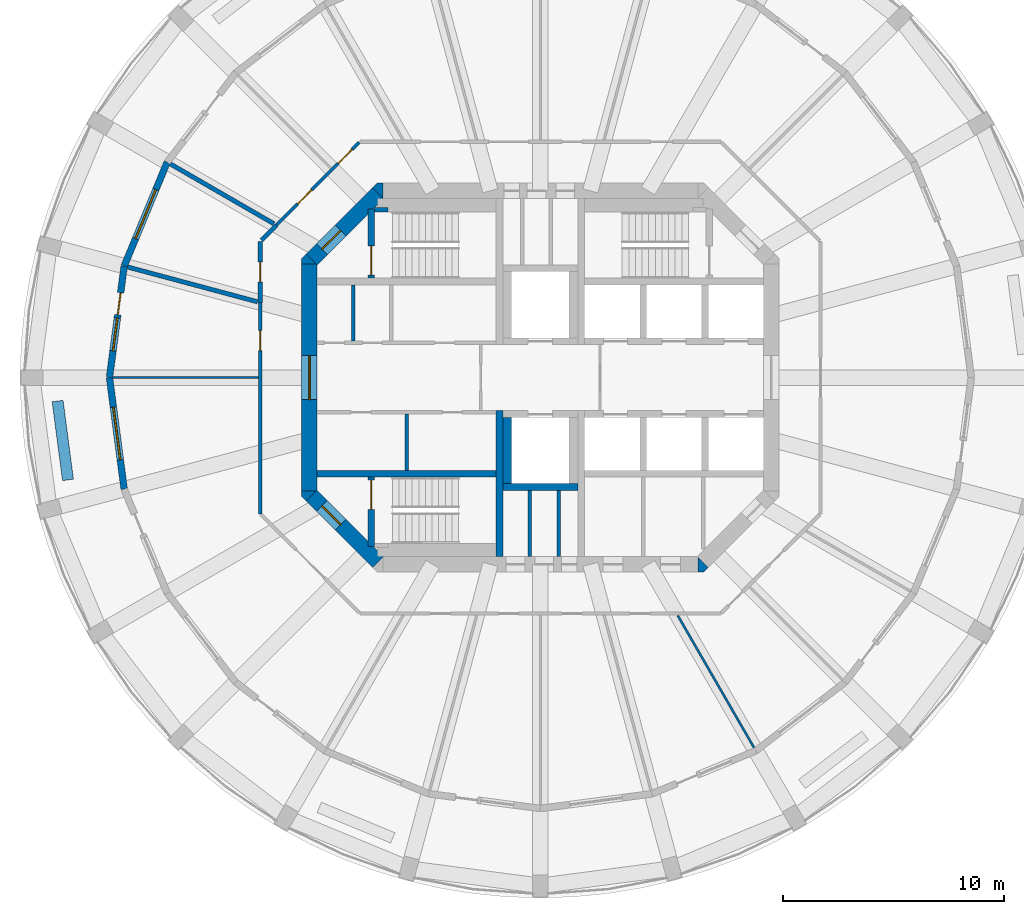
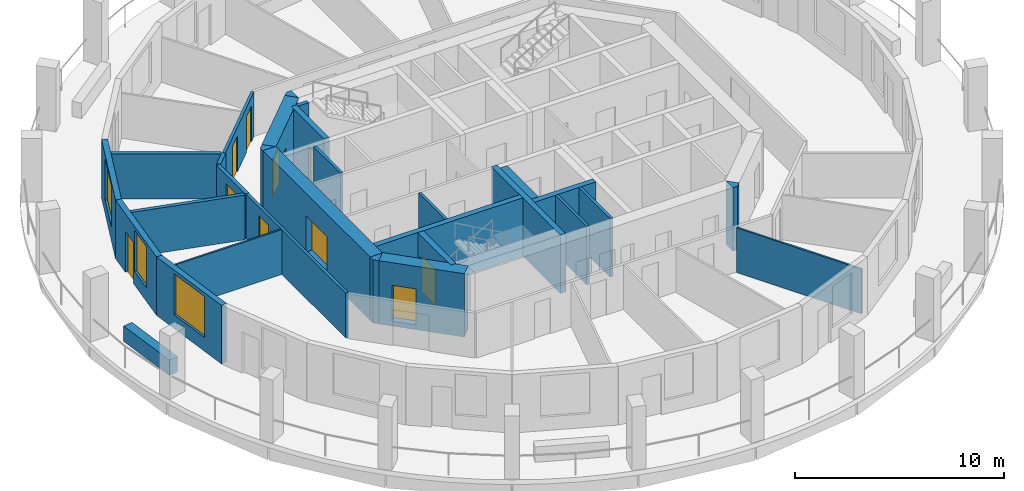
# One storey, part 3 of 8: 30 walls, 10 doors, 3 windows, 13 openings.
"""IFC4 building model written with IfcOpenShell, lengths in metres."""

from ifc_helpers import new_model, si_unit, direction, frame, frame_2d, origin, place, context, subcontext, project, spatial, polyline, rectangle, outline, extrude, material, layer, layer_set, type_object, element, fill, save


model = new_model("IFC4")

# Units and contexts
model_context = context("Model", 3, precision=1e-05, world=origin(), true_north=direction((0.0, 1.0)))
body_context = subcontext(model_context, "Body", "Model", "MODEL_VIEW")
ifc_project = project(units=[si_unit("LENGTHUNIT", "METRE"), si_unit("AREAUNIT", "SQUARE_METRE"), si_unit("VOLUMEUNIT", "CUBIC_METRE"), si_unit("PLANEANGLEUNIT", "RADIAN"), si_unit("MASSUNIT", "GRAM", prefix="KILO")], contexts=[model_context])

# Site, building, storey
site_placement = place(None, origin())
site = spatial("IfcSite", under=ifc_project, at=site_placement, CompositionType="ELEMENT")
building_placement = place(site_placement, origin())
building = spatial("IfcBuilding", under=site, at=building_placement, Name="Torre Triforio", CompositionType="ELEMENT")
storey_placement = place(building_placement, frame((0.0, 0.0, 207.60009765625)))
storey = spatial("IfcBuildingStorey", under=building, at=storey_placement, Name="L47", CompositionType="ELEMENT", Elevation=207.60009765625)

# Wall
ifc_material_1 = material(Name="Concrete C50", Category="concrete")
ifc_layer_1 = layer(ifc_material_1, 0.300048828125)
ifc_layer_set_1 = layer_set([ifc_layer_1], Name="Concrete C50")
wall_type_1 = type_object("IfcWallType", Name="Core wall 300 mm C50 EI 120", PredefinedType="SHEAR", material=ifc_layer_set_1)
wall_1_placement = place(storey_placement, frame((-1.85009765625, -8.10009765625, 0.0), z_axis=(0.0, 0.0, 1.0), x_axis=(0.0, 1.0, 0.0)))
element("IfcWall", 1, at=wall_1_placement, inside=storey, type_object=wall_type_1, Name="Core wall", PredefinedType="SHEAR", context=body_context, shape_type="SweptSolid", body=[
    extrude(rectangle(XDim=6.60009765625, YDim=0.300048828125, at=frame_2d((3.300048828125, 0.0))), origin(), (0.0, 0.0, 1.0), 3.419921875),
])

# Wall, opening, door
ifc_layer_2 = layer(ifc_material_1, 0.699951171875)
ifc_layer_set_2 = layer_set([ifc_layer_2], Name="Concrete C50")
wall_type_2 = type_object("IfcWallType", Name="Core wall 700 mm C50 EI 120", PredefinedType="SHEAR", material=ifc_layer_set_2)
wall_2_placement = place(storey_placement, frame((-10.449951171875, -5.1298828125, -0.280029296875), z_axis=(0.0, 0.0, 1.0), x_axis=(0.0, 1.0, 0.0)))
wall_2 = element("IfcWall", 2, at=wall_2_placement, inside=storey, type_object=wall_type_2, Name="Core wall", PredefinedType="SHEAR", context=body_context, shape_type="SweptSolid", body=[
    extrude(rectangle(XDim=10.259765625, YDim=0.699951171875, at=frame_2d((5.1298828125, 0.0))), origin(), (0.0, 0.0, 1.0), 3.699951171875),
])
opening_1_placement = place(wall_2_placement, frame((4.1298828125, 0.0, 0.280029296875)))
opening_1 = element("IfcOpeningElement", 3, at=opening_1_placement, cuts=wall_2, Name="Opening W-RING", PredefinedType="OPENING", context=body_context, shape_type="SweptSolid", body=[
    extrude(rectangle(XDim=2.0, YDim=2.10009765625, at=frame_2d((1.0, 1.050048828125))), frame((0.0, 0.35986328125, 0.0), z_axis=(0.0, -1.0, 0.0), x_axis=(1.0, 0.0, 0.0)), (0.0, 0.0, 1.0), 0.719970703125),
])
ifc_material_2 = material(Name="Hollow metal fire door leaf")
door_type_1 = type_object("IfcDoorType", Name="Lobby door 2000 x 2100 EI 60", OperationType="DOUBLE_DOOR_SINGLE_SWING", PredefinedType="DOOR", material=ifc_material_2)
door_1_placement = place(opening_1_placement, origin())
door_1 = element("IfcDoor", 4, at=door_1_placement, inside=storey, type_object=door_type_1, Name="Core door W-RING", OperationType="DOUBLE_DOOR_SINGLE_SWING", OverallHeight=2.10009765625, OverallWidth=2.0, PredefinedType="DOOR", context=body_context, shape_type="SweptSolid", body=[
    extrude(rectangle(XDim=2.0, YDim=2.10009765625, at=frame_2d((1.0, 1.050048828125))), frame((0.0, 0.02490234375, 0.0), z_axis=(0.0, -1.0, 0.0), x_axis=(1.0, 0.0, 0.0)), (0.0, 0.0, 1.0), 0.050048828125),
])
fill(opening_1, door_1)

wall_3_placement = place(storey_placement, frame((-10.347412109375, 5.347412109375, -0.280029296875), z_axis=(0.0, 0.0, 1.0), x_axis=(0.707106781187, 0.707106781187, 0.0)))
wall_3 = element("IfcWall", 5, at=wall_3_placement, inside=storey, type_object=wall_type_2, Name="Core wall", PredefinedType="SHEAR", context=body_context, shape_type="SweptSolid", body=[
    extrude(rectangle(XDim=4.24267578125, YDim=0.699951171875, at=frame_2d((2.121337890625, 0.0))), origin(), (0.0, 0.0, 1.0), 3.699951171875),
])
opening_2_placement = place(wall_3_placement, frame((0.64990234375, 0.0, 0.280029296875)))
opening_2 = element("IfcOpeningElement", 6, at=opening_2_placement, cuts=wall_3, Name="Opening ST1-EXIT", PredefinedType="OPENING", context=body_context, shape_type="SweptSolid", body=[
    extrude(rectangle(XDim=1.199951171875, YDim=2.10009765625, at=frame_2d((0.60009765625, 1.050048828125))), frame((0.0, 0.35986328125, 0.0), z_axis=(0.0, -1.0, 0.0), x_axis=(1.0, 0.0, 0.0)), (0.0, 0.0, 1.0), 0.719970703125),
])
door_type_2 = type_object("IfcDoorType", Name="Stair lobby door 1200 x 2100 EI 60", OperationType="NOTDEFINED", PredefinedType="DOOR", material=ifc_material_2)
door_2_placement = place(opening_2_placement, origin())
door_2 = element("IfcDoor", 7, at=door_2_placement, inside=storey, type_object=door_type_2, Name="Core door ST1-EXIT", OperationType="SINGLE_SWING_RIGHT", OverallHeight=2.10009765625, OverallWidth=1.199951171875, PredefinedType="DOOR", context=body_context, shape_type="SweptSolid", body=[
    extrude(rectangle(XDim=1.199951171875, YDim=2.10009765625, at=frame_2d((0.60009765625, 1.050048828125))), frame((0.0, 0.02490234375, 0.0), z_axis=(0.0, -1.0, 0.0), x_axis=(1.0, 0.0, 0.0)), (0.0, 0.0, 1.0), 0.050048828125),
])
fill(opening_2, door_2)

wall_4_placement = place(storey_placement, frame((-7.347412109375, -8.347412109375, -0.280029296875), z_axis=(0.0, 0.0, 1.0), x_axis=(-0.707106781187, 0.707106781187, 0.0)))
wall_4 = element("IfcWall", 8, at=wall_4_placement, inside=storey, type_object=wall_type_2, Name="Core wall", PredefinedType="SHEAR", context=body_context, shape_type="SweptSolid", body=[
    extrude(rectangle(XDim=4.24267578125, YDim=0.699951171875, at=frame_2d((2.121337890625, 0.0))), origin(), (0.0, 0.0, 1.0), 3.699951171875),
])
opening_3_placement = place(wall_4_placement, frame((2.392578125, 0.0, 0.280029296875)))
opening_3 = element("IfcOpeningElement", 9, at=opening_3_placement, cuts=wall_4, Name="Opening ST3-EXIT", PredefinedType="OPENING", context=body_context, shape_type="SweptSolid", body=[
    extrude(rectangle(XDim=1.199951171875, YDim=2.10009765625, at=frame_2d((0.60009765625, 1.050048828125))), frame((0.0, 0.35986328125, 0.0), z_axis=(0.0, -1.0, 0.0), x_axis=(1.0, 0.0, 0.0)), (0.0, 0.0, 1.0), 0.719970703125),
])
door_3_placement = place(opening_3_placement, origin())
door_3 = element("IfcDoor", 10, at=door_3_placement, inside=storey, type_object=door_type_2, Name="Core door ST3-EXIT", OperationType="SINGLE_SWING_RIGHT", OverallHeight=2.10009765625, OverallWidth=1.199951171875, PredefinedType="DOOR", context=body_context, shape_type="SweptSolid", body=[
    extrude(rectangle(XDim=1.199951171875, YDim=2.10009765625, at=frame_2d((0.60009765625, 1.050048828125))), frame((0.0, 0.02490234375, 0.0), z_axis=(0.0, -1.0, 0.0), x_axis=(1.0, 0.0, 0.0)), (0.0, 0.0, 1.0), 0.050048828125),
])
fill(opening_3, door_3)

# Walls
wall_5_placement = place(storey_placement, frame((0.0, 0.0, -0.280029296875)))
element("IfcWall", 11, at=wall_5_placement, inside=storey, type_object=wall_type_2, Name="Core wall", PredefinedType="SHEAR", context=body_context, shape_type="SweptSolid", body=[
    extrude(outline(polyline([(7.389892578125, -8.800048828125), (7.1298828125, -8.800048828125), (7.1298828125, -8.800048828125), (7.1298828125, -8.1298828125), (7.594970703125, -8.594970703125), (7.594970703125, -8.594970703125), (7.594970703125, -8.594970703125), (7.389892578125, -8.800048828125)])), origin(), (0.0, 0.0, 1.0), 3.699951171875),
])
wall_6_placement = place(storey_placement, frame((0.0, 0.0, -0.280029296875)))
element("IfcWall", 12, at=wall_6_placement, inside=storey, type_object=wall_type_2, Name="Core wall", PredefinedType="SHEAR", context=body_context, shape_type="SweptSolid", body=[
    extrude(outline(polyline([(-10.800048828125, -5.389892578125), (-10.800048828125, -5.1298828125), (-10.800048828125, -5.1298828125), (-10.1298828125, -5.1298828125), (-10.594970703125, -5.594970703125), (-10.594970703125, -5.594970703125), (-10.594970703125, -5.594970703125), (-10.800048828125, -5.389892578125)])), origin(), (0.0, 0.0, 1.0), 3.699951171875),
])
wall_7_placement = place(storey_placement, frame((0.0, 0.0, -0.280029296875)))
element("IfcWall", 13, at=wall_7_placement, inside=storey, type_object=wall_type_2, Name="Core wall", PredefinedType="SHEAR", context=body_context, shape_type="SweptSolid", body=[
    extrude(outline(polyline([(-10.594970703125, 5.594970703125), (-10.594970703125, 5.594970703125), (-10.594970703125, 5.594970703125), (-10.1298828125, 5.1298828125), (-10.800048828125, 5.1298828125), (-10.800048828125, 5.1298828125), (-10.800048828125, 5.389892578125), (-10.594970703125, 5.594970703125)])), origin(), (0.0, 0.0, 1.0), 3.699951171875),
])
wall_8_placement = place(storey_placement, frame((0.0, 0.0, -0.280029296875)))
element("IfcWall", 14, at=wall_8_placement, inside=storey, type_object=wall_type_2, Name="Core wall", PredefinedType="SHEAR", context=body_context, shape_type="SweptSolid", body=[
    extrude(outline(polyline([(-7.389892578125, 8.800048828125), (-7.1298828125, 8.800048828125), (-7.1298828125, 8.800048828125), (-7.1298828125, 8.1298828125), (-7.594970703125, 8.594970703125), (-7.594970703125, 8.594970703125), (-7.594970703125, 8.594970703125), (-7.389892578125, 8.800048828125)])), origin(), (0.0, 0.0, 1.0), 3.699951171875),
])

# Wall, opening, door
ifc_material_3 = material(Name="Plasterboard on metal studs")
ifc_layer_3 = layer(ifc_material_3, 0.14990234375)
ifc_layer_set_3 = layer_set([ifc_layer_3], Name="Plasterboard on metal studs")
wall_type_3 = type_object("IfcWallType", Name="Corridor and tenancy wall 150 mm EI 60", PredefinedType="PARTITIONING", material=ifc_layer_set_3)
wall_9_placement = place(storey_placement, frame((-12.675048828125, -6.16650390625, 0.0), z_axis=(0.0, 0.0, 1.0), x_axis=(0.0, 1.0, 0.0)))
wall_9 = element("IfcWall", 15, at=wall_9_placement, inside=storey, type_object=wall_type_3, Name="Partition 4", PredefinedType="PARTITIONING", context=body_context, shape_type="SweptSolid", body=[
    extrude(rectangle(XDim=9.562744140625, YDim=0.14990234375, at=frame_2d((4.78125, 0.0))), origin(), (0.0, 0.0, 1.0), 2.619873046875),
])
opening_4_placement = place(wall_9_placement, frame((7.3896484375, 0.0, 0.0)))
opening_4 = element("IfcOpeningElement", 16, at=opening_4_placement, cuts=wall_9, Name="Opening O5-16", PredefinedType="OPENING", context=body_context, shape_type="SweptSolid", body=[
    extrude(rectangle(XDim=0.89990234375, YDim=2.10009765625, at=frame_2d((0.449951171875, 1.050048828125))), frame((0.0, 0.0849609375, 0.0), z_axis=(0.0, -1.0, 0.0), x_axis=(1.0, 0.0, 0.0)), (0.0, 0.0, 1.0), 0.169921875),
])
ifc_material_4 = material(Name="Timber", Category="wood")
door_type_3 = type_object("IfcDoorType", Name="Door 900 x 2100 single leaf EI 30", OperationType="NOTDEFINED", PredefinedType="DOOR", material=ifc_material_4)
door_4_placement = place(opening_4_placement, origin())
door_4 = element("IfcDoor", 17, at=door_4_placement, inside=storey, type_object=door_type_3, Name="Door O5-16", OperationType="SINGLE_SWING_LEFT", OverallHeight=2.10009765625, OverallWidth=0.89990234375, PredefinedType="DOOR", context=body_context, shape_type="SweptSolid", body=[
    extrude(rectangle(XDim=0.89990234375, YDim=2.10009765625, at=frame_2d((0.449951171875, 1.050048828125))), frame((0.0, 0.02490234375, 0.0), z_axis=(0.0, -1.0, 0.0), x_axis=(1.0, 0.0, 0.0)), (0.0, 0.0, 1.0), 0.050048828125),
])
fill(opening_4, door_4)

# Wall, openings, doors
wall_10_placement = place(storey_placement, frame((-11.945068359375, 6.896484375, 0.0), z_axis=(0.0, 0.0, 1.0), x_axis=(0.707106781187, 0.707106781187, 0.0)))
wall_10 = element("IfcWall", 18, at=wall_10_placement, inside=storey, type_object=wall_type_3, Name="Partition 7", PredefinedType="PARTITIONING", context=body_context, shape_type="SweptSolid", body=[
    extrude(rectangle(XDim=5.291259765625, YDim=0.14990234375, at=frame_2d((2.6455078125, 0.0))), origin(), (0.0, 0.0, 1.0), 2.619873046875),
])
opening_5_placement = place(wall_10_placement, frame((3.95556640625, 0.0, 0.0)))
opening_5 = element("IfcOpeningElement", 19, at=opening_5_placement, cuts=wall_10, Name="Opening O5-13", PredefinedType="OPENING", context=body_context, shape_type="SweptSolid", body=[
    extrude(rectangle(XDim=0.89990234375, YDim=2.10009765625, at=frame_2d((0.449951171875, 1.050048828125))), frame((0.0, 0.0849609375, 0.0), z_axis=(0.0, -1.0, 0.0), x_axis=(1.0, 0.0, 0.0)), (0.0, 0.0, 1.0), 0.169921875),
])
opening_6_placement = place(wall_10_placement, frame((1.35986328125, 0.0, 0.0)))
opening_6 = element("IfcOpeningElement", 20, at=opening_6_placement, cuts=wall_10, Name="Opening O5-14", PredefinedType="OPENING", context=body_context, shape_type="SweptSolid", body=[
    extrude(rectangle(XDim=0.89990234375, YDim=2.10009765625, at=frame_2d((0.449951171875, 1.050048828125))), frame((0.0, 0.0849609375, 0.0), z_axis=(0.0, -1.0, 0.0), x_axis=(1.0, 0.0, 0.0)), (0.0, 0.0, 1.0), 0.169921875),
])
door_5_placement = place(opening_5_placement, origin())
door_5 = element("IfcDoor", 21, at=door_5_placement, inside=storey, type_object=door_type_3, Name="Door O5-13", OperationType="SINGLE_SWING_LEFT", OverallHeight=2.10009765625, OverallWidth=0.89990234375, PredefinedType="DOOR", context=body_context, shape_type="SweptSolid", body=[
    extrude(rectangle(XDim=0.89990234375, YDim=2.10009765625, at=frame_2d((0.449951171875, 1.050048828125))), frame((0.0, 0.02490234375, 0.0), z_axis=(0.0, -1.0, 0.0), x_axis=(1.0, 0.0, 0.0)), (0.0, 0.0, 1.0), 0.050048828125),
])
fill(opening_5, door_5)
door_6_placement = place(opening_6_placement, origin())
door_6 = element("IfcDoor", 22, at=door_6_placement, inside=storey, type_object=door_type_3, Name="Door O5-14", OperationType="SINGLE_SWING_RIGHT", OverallHeight=2.10009765625, OverallWidth=0.89990234375, PredefinedType="DOOR", context=body_context, shape_type="SweptSolid", body=[
    extrude(rectangle(XDim=0.89990234375, YDim=2.10009765625, at=frame_2d((0.449951171875, 1.050048828125))), frame((0.0, 0.02490234375, 0.0), z_axis=(0.0, -1.0, 0.0), x_axis=(1.0, 0.0, 0.0)), (0.0, 0.0, 1.0), 0.050048828125),
])
fill(opening_6, door_6)

# Walls
ifc_layer_4 = layer(ifc_material_3, 0.10009765625)
ifc_layer_set_4 = layer_set([ifc_layer_4], Name="Plasterboard on metal studs")
wall_type_4 = type_object("IfcWallType", Name="Partition 100 mm board on metal studs", PredefinedType="PARTITIONING", material=ifc_layer_set_4)
wall_11_placement = place(storey_placement, frame((-12.75, 0.0, 0.0), z_axis=(0.0, 0.0, 1.0), x_axis=(-1.0, 0.0, 0.0)))
element("IfcWall", 23, at=wall_11_placement, inside=storey, type_object=wall_type_4, Name="Partition 19", PredefinedType="PARTITIONING", context=body_context, shape_type="SweptSolid", body=[
    extrude(rectangle(XDim=6.586669921875, YDim=0.10009765625, at=frame_2d((3.29345703125, 0.0))), origin(), (0.0, 0.0, 1.0), 2.619873046875),
])
wall_12_placement = place(storey_placement, frame((6.220703125, -10.774658203125, 0.0), z_axis=(0.0, 0.0, 1.0), x_axis=(0.500015661236, -0.866016361577, 0.0)))
element("IfcWall", 24, at=wall_12_placement, inside=storey, type_object=wall_type_4, Name="Partition 24", PredefinedType="PARTITIONING", context=body_context, shape_type="SweptSolid", body=[
    extrude(rectangle(XDim=6.895263671875, YDim=0.10009765625, at=frame_2d((3.44775390625, 0.0))), origin(), (0.0, 0.0, 1.0), 2.619873046875),
])
ifc_material_5 = material(Name="Block and board partition")
ifc_layer_5 = layer(ifc_material_5, 0.14990234375)
ifc_layer_set_5 = layer_set([ifc_layer_5], Name="Block and board partition")
wall_type_5 = type_object("IfcWallType", Name="Partition 150 mm", PredefinedType="PARTITIONING", material=ifc_layer_set_5)
wall_13_placement = place(storey_placement, frame((-0.47509765625, -8.10009765625, 0.0), z_axis=(0.0, 0.0, 1.0), x_axis=(0.0, 1.0, 0.0)))
element("IfcWall", 25, at=wall_13_placement, inside=storey, type_object=wall_type_5, Name="Partition", PredefinedType="PARTITIONING", context=body_context, shape_type="SweptSolid", body=[
    extrude(rectangle(XDim=3.0, YDim=0.14990234375, at=frame_2d((1.5, 0.0))), origin(), (0.0, 0.0, 1.0), 3.419921875),
])
for number, where, z_axis, x_axis, name in (
    (26, (-8.465087890625, 1.64990234375, 0.0), (0.0, 0.0, 1.0), (0.0, 1.0, 0.0), "Partition"),
    (27, (-6.050048828125, -4.199951171875, 0.0), (0.0, 0.0, 1.0), (0.0, 1.0, 0.0), "Partition"),
):
    element("IfcWall", number, at=place(storey_placement, frame(where, z_axis=z_axis, x_axis=x_axis)), inside=storey, type_object=wall_type_5, Name=name, PredefinedType="PARTITIONING", context=body_context, shape_type="SweptSolid", body=[
        extrude(rectangle(XDim=2.550048828125, YDim=0.14990234375, at=frame_2d((1.27490234375, 0.0))), origin(), (0.0, 0.0, 1.0), 3.419921875),
    ])
ifc_layer_6 = layer(ifc_material_5, 0.14990234375)
ifc_layer_set_6 = layer_set([ifc_layer_6], Name="Block and board partition")
wall_type_6 = type_object("IfcWallType", Name="Partition 150 mm EI 120", PredefinedType="PARTITIONING", material=ifc_layer_set_6)
wall_14_placement = place(storey_placement, frame((0.824951171875, -8.10009765625, 0.0), z_axis=(0.0, 0.0, 1.0), x_axis=(0.0, 1.0, 0.0)))
element("IfcWall", 28, at=wall_14_placement, inside=storey, type_object=wall_type_6, Name="Partition", PredefinedType="PARTITIONING", context=body_context, shape_type="SweptSolid", body=[
    extrude(rectangle(XDim=3.0, YDim=0.14990234375, at=frame_2d((1.5, 0.0))), origin(), (0.0, 0.0, 1.0), 3.419921875),
])

# Wall, opening, door
ifc_material_6 = material(Name="Masonry block", Category="masonry")
ifc_layer_7 = layer(ifc_material_6, 0.199951171875)
ifc_layer_set_7 = layer_set([ifc_layer_7], Name="Masonry block")
wall_type_7 = type_object("IfcWallType", Name="Plant room wall 200 mm block EI 120", PredefinedType="PARTITIONING", material=ifc_layer_set_7)
wall_15_placement = place(storey_placement, frame((-12.675048828125, 3.396240234375, 0.0), z_axis=(0.0, 0.0, 1.0), x_axis=(0.0, 1.0, 0.0)))
wall_15 = element("IfcWall", 29, at=wall_15_placement, inside=storey, type_object=wall_type_7, Name="Partition 5", PredefinedType="PARTITIONING", context=body_context, shape_type="SweptSolid", body=[
    extrude(rectangle(XDim=2.770263671875, YDim=0.199951171875, at=frame_2d((1.38525390625, 0.0))), origin(), (0.0, 0.0, 1.0), 2.619873046875),
])
opening_7_placement = place(wall_15_placement, frame((0.935302734375, 0.0, 0.0)))
opening_7 = element("IfcOpeningElement", 30, at=opening_7_placement, cuts=wall_15, Name="Opening O5-15", PredefinedType="OPENING", context=body_context, shape_type="SweptSolid", body=[
    extrude(rectangle(XDim=0.89990234375, YDim=2.10009765625, at=frame_2d((0.449951171875, 1.050048828125))), frame((0.0, 0.10986328125, 0.0), z_axis=(0.0, -1.0, 0.0), x_axis=(1.0, 0.0, 0.0)), (0.0, 0.0, 1.0), 0.219970703125),
])
door_type_4 = type_object("IfcDoorType", Name="Door 900 x 2100 single leaf EI 60", OperationType="NOTDEFINED", PredefinedType="DOOR", material=ifc_material_2)
door_7_placement = place(opening_7_placement, origin())
door_7 = element("IfcDoor", 31, at=door_7_placement, inside=storey, type_object=door_type_4, Name="Door O5-15", OperationType="SINGLE_SWING_LEFT", OverallHeight=2.10009765625, OverallWidth=0.89990234375, PredefinedType="DOOR", context=body_context, shape_type="SweptSolid", body=[
    extrude(rectangle(XDim=0.89990234375, YDim=2.10009765625, at=frame_2d((0.449951171875, 1.050048828125))), frame((0.0, 0.02490234375, 0.0), z_axis=(0.0, -1.0, 0.0), x_axis=(1.0, 0.0, 0.0)), (0.0, 0.0, 1.0), 0.050048828125),
])
fill(opening_7, door_7)

# Walls
wall_16_placement = place(storey_placement, frame((-12.62548828125, 6.216064453125, 0.0), z_axis=(0.0, 0.0, 1.0), x_axis=(0.707106781187, 0.707106781187, 0.0)))
element("IfcWall", 32, at=wall_16_placement, inside=storey, type_object=wall_type_7, Name="Partition 6", PredefinedType="PARTITIONING", context=body_context, shape_type="SweptSolid", body=[
    extrude(rectangle(XDim=0.962158203125, YDim=0.199951171875, at=frame_2d((0.48095703125, 0.0))), origin(), (0.0, 0.0, 1.0), 2.619873046875),
])
wall_17_placement = place(storey_placement, frame((-12.0576171875, 6.96142578125, 0.0), z_axis=(0.0, 0.0, 1.0), x_axis=(-0.86601436245, 0.500019123664, 0.0)))
element("IfcWall", 33, at=wall_17_placement, inside=storey, type_object=wall_type_7, Name="Partition 17", PredefinedType="PARTITIONING", context=body_context, shape_type="SweptSolid", body=[
    extrude(rectangle(XDim=5.413818359375, YDim=0.199951171875, at=frame_2d((2.70703125, 0.0))), origin(), (0.0, 0.0, 1.0), 2.619873046875),
])
wall_18_placement = place(storey_placement, frame((-12.800537109375, 3.429931640625, 0.0), z_axis=(0.0, 0.0, 1.0), x_axis=(-0.965929245953, 0.258806282407, 0.0)))
element("IfcWall", 34, at=wall_18_placement, inside=storey, type_object=wall_type_7, Name="Partition 18", PredefinedType="PARTITIONING", context=body_context, shape_type="SweptSolid", body=[
    extrude(rectangle(XDim=6.08447265625, YDim=0.199951171875, at=frame_2d((3.042236328125, 0.0))), origin(), (0.0, 0.0, 1.0), 2.619873046875),
])
ifc_material_7 = material(Name="Limestone cladding", Category="masonry")
ifc_layer_8 = layer(ifc_material_7, 0.10009765625)
ifc_material_8 = material(Name="Concrete C40", Category="concrete")
ifc_layer_9 = layer(ifc_material_8, 0.39990234375)
ifc_layer_set_8 = layer_set([ifc_layer_8, ifc_layer_9], Name="Limestone cladding / Concrete C40")
wall_type_8 = type_object("IfcWallType", Name="Planter wall 500", PredefinedType="PARAPET", material=ifc_layer_set_8)
wall_19_placement = place(storey_placement, frame((-21.848388671875, -1.060791015625, 0.0), z_axis=(0.0, 0.0, 1.0), x_axis=(0.130475563272, -0.991451525486, 0.0)))
element("IfcWall", 35, at=wall_19_placement, inside=storey, type_object=wall_type_8, Name="Planter L47 bay 13", PredefinedType="PARAPET", context=body_context, shape_type="SweptSolid", body=[
    extrude(rectangle(XDim=3.60009765625, YDim=0.5, at=frame_2d((1.800048828125, 0.0))), origin(), (0.0, 0.0, 1.0), 0.89990234375),
])
ifc_layer_10 = layer(ifc_material_1, 0.300048828125)
ifc_layer_set_9 = layer_set([ifc_layer_10], Name="Concrete C50")
wall_type_9 = type_object("IfcWallType", Name="Shaft wall 300 mm C50 EI 120", PredefinedType="SOLIDWALL", material=ifc_layer_set_9)
wall_20_placement = place(storey_placement, frame((-10.10009765625, -4.35009765625, 0.0), z_axis=(0.0, 0.0, 1.0), x_axis=(1.0, 0.0, 0.0)))
element("IfcWall", 36, at=wall_20_placement, inside=storey, type_object=wall_type_9, Name="Shaft wall", PredefinedType="SOLIDWALL", context=body_context, shape_type="SweptSolid", body=[
    extrude(rectangle(XDim=8.10009765625, YDim=0.300048828125, at=frame_2d((4.050048828125, 0.0))), origin(), (0.0, 0.0, 1.0), 3.419921875),
])
wall_21_placement = place(storey_placement, frame((-1.699951171875, -4.949951171875, 0.0), z_axis=(0.0, 0.0, 1.0), x_axis=(1.0, 0.0, 0.0)))
element("IfcWall", 37, at=wall_21_placement, inside=storey, type_object=wall_type_9, Name="Shaft wall", PredefinedType="SOLIDWALL", context=body_context, shape_type="SweptSolid", body=[
    extrude(rectangle(XDim=3.39990234375, YDim=0.300048828125, at=frame_2d((1.699951171875, 0.0))), origin(), (0.0, 0.0, 1.0), 3.419921875),
])
ifc_layer_11 = layer(ifc_material_1, 0.39990234375)
ifc_layer_set_10 = layer_set([ifc_layer_11], Name="Concrete C50")
wall_type_10 = type_object("IfcWallType", Name="Shaft wall 400 mm C50 EI 120", PredefinedType="SOLIDWALL", material=ifc_layer_set_10)
wall_22_placement = place(storey_placement, frame((-1.5, -4.800048828125, 0.0), z_axis=(0.0, 0.0, 1.0), x_axis=(0.0, 1.0, 0.0)))
element("IfcWall", 38, at=wall_22_placement, inside=storey, type_object=wall_type_10, Name="Shaft wall", PredefinedType="SOLIDWALL", context=body_context, shape_type="SweptSolid", body=[
    extrude(rectangle(XDim=3.0, YDim=0.39990234375, at=frame_2d((1.5, 0.0))), origin(), (0.0, 0.0, 1.0), 3.419921875),
])
ifc_layer_12 = layer(ifc_material_1, 0.199951171875)
ifc_layer_set_11 = layer_set([ifc_layer_12], Name="Concrete C50")
wall_type_11 = type_object("IfcWallType", Name="Stair wall 200 mm C50 EI 120", PredefinedType="SHEAR", material=ifc_layer_set_11)
wall_23_placement = place(storey_placement, frame((-7.5, 7.60009765625, 0.0), z_axis=(0.0, 0.0, 1.0), x_axis=(1.0, 0.0, 0.0)))
element("IfcWall", 39, at=wall_23_placement, inside=storey, type_object=wall_type_11, Name="Stair wall", PredefinedType="SHEAR", context=body_context, shape_type="SweptSolid", body=[
    extrude(rectangle(XDim=0.60009765625, YDim=0.199951171875, at=frame_2d((0.300048828125, 0.0))), origin(), (0.0, 0.0, 1.0), 3.419921875),
])

# Wall, opening, door
ifc_layer_13 = layer(ifc_material_1, 0.300048828125)
ifc_layer_set_12 = layer_set([ifc_layer_13], Name="Concrete C50")
wall_type_12 = type_object("IfcWallType", Name="Stair wall 300 mm C50 EI 120", PredefinedType="SHEAR", material=ifc_layer_set_12)
wall_24_placement = place(storey_placement, frame((-7.64990234375, 4.5, 0.0), z_axis=(0.0, 0.0, 1.0), x_axis=(0.0, 1.0, 0.0)))
wall_24 = element("IfcWall", 40, at=wall_24_placement, inside=storey, type_object=wall_type_12, Name="Stair wall", PredefinedType="SHEAR", context=body_context, shape_type="SweptSolid", body=[
    extrude(rectangle(XDim=3.139892578125, YDim=0.300048828125, at=frame_2d((1.56982421875, 0.0))), origin(), (0.0, 0.0, 1.0), 3.419921875),
])
opening_8_placement = place(wall_24_placement, frame((0.139892578125, 0.0, 0.0)))
opening_8 = element("IfcOpeningElement", 41, at=opening_8_placement, cuts=wall_24, Name="Opening ST1-STA", PredefinedType="OPENING", context=body_context, shape_type="SweptSolid", body=[
    extrude(rectangle(XDim=1.320068359375, YDim=2.10009765625, at=frame_2d((0.66015625, 1.050048828125))), frame((0.0, 0.159912109375, 0.0), z_axis=(0.0, -1.0, 0.0), x_axis=(1.0, 0.0, 0.0)), (0.0, 0.0, 1.0), 0.320068359375),
])
door_type_5 = type_object("IfcDoorType", Name="Stair door 1320 x 2100 EI 90", OperationType="DOUBLE_DOOR_SINGLE_SWING", PredefinedType="DOOR", material=ifc_material_2)
door_8_placement = place(opening_8_placement, origin())
door_8 = element("IfcDoor", 42, at=door_8_placement, inside=storey, type_object=door_type_5, Name="Core door ST1-ST", OperationType="DOUBLE_DOOR_SINGLE_SWING", OverallHeight=2.10009765625, OverallWidth=1.320068359375, PredefinedType="DOOR", context=body_context, shape_type="SweptSolid", body=[
    extrude(rectangle(XDim=1.320068359375, YDim=2.10009765625, at=frame_2d((0.66015625, 1.050048828125))), frame((0.0, 0.02490234375, 0.0), z_axis=(0.0, -1.0, 0.0), x_axis=(1.0, 0.0, 0.0)), (0.0, 0.0, 1.0), 0.050048828125),
])
fill(opening_8, door_8)

wall_25_placement = place(storey_placement, frame((-7.64990234375, -7.639892578125, 0.0), z_axis=(0.0, 0.0, 1.0), x_axis=(0.0, 1.0, 0.0)))
wall_25 = element("IfcWall", 43, at=wall_25_placement, inside=storey, type_object=wall_type_12, Name="Stair wall", PredefinedType="SHEAR", context=body_context, shape_type="SweptSolid", body=[
    extrude(rectangle(XDim=3.139892578125, YDim=0.300048828125, at=frame_2d((1.56982421875, 0.0))), origin(), (0.0, 0.0, 1.0), 3.419921875),
])
opening_9_placement = place(wall_25_placement, frame((1.679931640625, 0.0, 0.0)))
opening_9 = element("IfcOpeningElement", 44, at=opening_9_placement, cuts=wall_25, Name="Opening ST3-STA", PredefinedType="OPENING", context=body_context, shape_type="SweptSolid", body=[
    extrude(rectangle(XDim=1.320068359375, YDim=2.10009765625, at=frame_2d((0.66015625, 1.050048828125))), frame((0.0, 0.159912109375, 0.0), z_axis=(0.0, -1.0, 0.0), x_axis=(1.0, 0.0, 0.0)), (0.0, 0.0, 1.0), 0.320068359375),
])
door_9_placement = place(opening_9_placement, origin())
door_9 = element("IfcDoor", 45, at=door_9_placement, inside=storey, type_object=door_type_5, Name="Core door ST3-ST", OperationType="DOUBLE_DOOR_SINGLE_SWING", OverallHeight=2.10009765625, OverallWidth=1.320068359375, PredefinedType="DOOR", context=body_context, shape_type="SweptSolid", body=[
    extrude(rectangle(XDim=1.320068359375, YDim=2.10009765625, at=frame_2d((0.66015625, 1.050048828125))), frame((0.0, 0.02490234375, 0.0), z_axis=(0.0, -1.0, 0.0), x_axis=(1.0, 0.0, 0.0)), (0.0, 0.0, 1.0), 0.050048828125),
])
fill(opening_9, door_9)

# Wall, opening, window
ifc_layer_14 = layer(ifc_material_7, 0.10009765625)
ifc_layer_15 = layer(ifc_material_8, 0.199951171875)
ifc_layer_set_13 = layer_set([ifc_layer_14, ifc_layer_15], Name="Limestone cladding / Concrete C40")
wall_type_13 = type_object("IfcWallType", Name="Stone-faced composite wall 300", PredefinedType="STANDARD", material=ifc_layer_set_13)
wall_26_placement = place(storey_placement, frame((-16.887451171875, 9.75, 0.0), z_axis=(0.0, 0.0, 1.0), x_axis=(-0.382724538613, -0.923862504675, 0.0)))
wall_26 = element("IfcWall", 46, at=wall_26_placement, inside=storey, type_object=wall_type_13, Name="External wall L47 bay 11", PredefinedType="STANDARD", context=body_context, shape_type="SweptSolid", body=[
    extrude(rectangle(XDim=5.090576171875, YDim=0.300048828125, at=frame_2d((2.54541015625, 0.0))), origin(), (0.0, 0.0, 1.0), 3.419921875),
])
opening_10_placement = place(wall_26_placement, frame((1.34521484375, 0.0, 0.800048828125)))
opening_10 = element("IfcOpeningElement", 47, at=opening_10_placement, cuts=wall_26, Name="Opening O5-W11", PredefinedType="OPENING", context=body_context, shape_type="SweptSolid", body=[
    extrude(rectangle(XDim=2.39990234375, YDim=2.39990234375, at=frame_2d((1.199951171875, 1.199951171875))), frame((0.0, 0.159912109375, 0.0), z_axis=(0.0, -1.0, 0.0), x_axis=(1.0, 0.0, 0.0)), (0.0, 0.0, 1.0), 0.320068359375),
])
ifc_material_9 = material(Name="Aluminium frame with clear double glazing", Category="aluminium")
window_type_1 = type_object("IfcWindowType", Name="Punched window 2400 x 2400", PartitioningType="DOUBLE_PANEL_VERTICAL", PredefinedType="WINDOW", material=ifc_material_9)
window_1_placement = place(opening_10_placement, origin())
window_1 = element("IfcWindow", 48, at=window_1_placement, inside=storey, type_object=window_type_1, Name="Window EWN4 L47 bay 11", OverallHeight=2.39990234375, OverallWidth=2.39990234375, PartitioningType="SINGLE_PANEL", PredefinedType="WINDOW", context=body_context, shape_type="SweptSolid", body=[
    extrude(rectangle(XDim=2.39990234375, YDim=2.39990234375, at=frame_2d((1.199951171875, 1.199951171875))), frame((0.0, 0.030029296875, 0.0), z_axis=(0.0, -1.0, 0.0), x_axis=(1.0, 0.0, 0.0)), (0.0, 0.0, 1.0), 0.06005859375),
])
fill(opening_10, window_1)

# Wall, openings, door, window
wall_27_placement = place(storey_placement, frame((-18.835693359375, 5.047119140625, 0.0), z_axis=(0.0, 0.0, 1.0), x_axis=(-0.130495451964, -0.99144890792, 0.0)))
wall_27 = element("IfcWall", 49, at=wall_27_placement, inside=storey, type_object=wall_type_13, Name="External wall L47 bay 12", PredefinedType="STANDARD", context=body_context, shape_type="SweptSolid", body=[
    extrude(rectangle(XDim=5.090576171875, YDim=0.300048828125, at=frame_2d((2.54541015625, 0.0))), origin(), (0.0, 0.0, 1.0), 3.419921875),
])
opening_11_placement = place(wall_27_placement, frame((1.22021484375, 0.0, 0.0)))
opening_11 = element("IfcOpeningElement", 50, at=opening_11_placement, cuts=wall_27, Name="Opening O5-D12", PredefinedType="OPENING", context=body_context, shape_type="SweptSolid", body=[
    extrude(rectangle(XDim=1.0, YDim=2.39990234375, at=frame_2d((0.5, 1.199951171875))), frame((0.0, 0.159912109375, 0.0), z_axis=(0.0, -1.0, 0.0), x_axis=(1.0, 0.0, 0.0)), (0.0, 0.0, 1.0), 0.320068359375),
])
opening_12_placement = place(wall_27_placement, frame((2.370361328125, 0.0, 0.800048828125)))
opening_12 = element("IfcOpeningElement", 51, at=opening_12_placement, cuts=wall_27, Name="Opening O5-W12A", PredefinedType="OPENING", context=body_context, shape_type="SweptSolid", body=[
    extrude(rectangle(XDim=1.5, YDim=2.39990234375, at=frame_2d((0.75, 1.199951171875))), frame((0.0, 0.159912109375, 0.0), z_axis=(0.0, -1.0, 0.0), x_axis=(1.0, 0.0, 0.0)), (0.0, 0.0, 1.0), 0.320068359375),
])
door_type_6 = type_object("IfcDoorType", Name="Loggia door 1000 x 2400", OperationType="NOTDEFINED", PredefinedType="DOOR", material=ifc_material_9)
door_10_placement = place(opening_11_placement, origin())
door_10 = element("IfcDoor", 52, at=door_10_placement, inside=storey, type_object=door_type_6, Name="Loggia door L47 bay 12", OperationType="SINGLE_SWING_LEFT", OverallHeight=2.39990234375, OverallWidth=1.0, PredefinedType="DOOR", context=body_context, shape_type="SweptSolid", body=[
    extrude(rectangle(XDim=1.0, YDim=2.39990234375, at=frame_2d((0.5, 1.199951171875))), frame((0.0, 0.02490234375, 0.0), z_axis=(0.0, -1.0, 0.0), x_axis=(1.0, 0.0, 0.0)), (0.0, 0.0, 1.0), 0.050048828125),
])
fill(opening_11, door_10)
window_type_2 = type_object("IfcWindowType", Name="Side window 1500 x 2400", PartitioningType="SINGLE_PANEL", PredefinedType="WINDOW", material=ifc_material_9)
window_2_placement = place(opening_12_placement, origin())
window_2 = element("IfcWindow", 53, at=window_2_placement, inside=storey, type_object=window_type_2, Name="Side window EWN14 L47 bay 12", OverallHeight=2.39990234375, OverallWidth=1.5, PartitioningType="SINGLE_PANEL", PredefinedType="WINDOW", context=body_context, shape_type="SweptSolid", body=[
    extrude(rectangle(XDim=1.5, YDim=2.39990234375, at=frame_2d((0.75, 1.199951171875))), frame((0.0, 0.030029296875, 0.0), z_axis=(0.0, -1.0, 0.0), x_axis=(1.0, 0.0, 0.0)), (0.0, 0.0, 1.0), 0.06005859375),
])
fill(opening_12, window_2)

# Wall, opening, window
wall_28_placement = place(storey_placement, frame((-19.5, 0.0, 0.0), z_axis=(0.0, 0.0, 1.0), x_axis=(0.130495451964, -0.99144890792, 0.0)))
wall_28 = element("IfcWall", 54, at=wall_28_placement, inside=storey, type_object=wall_type_13, Name="External wall L47 bay 13", PredefinedType="STANDARD", context=body_context, shape_type="SweptSolid", body=[
    extrude(rectangle(XDim=5.090576171875, YDim=0.300048828125, at=frame_2d((2.54541015625, 0.0))), origin(), (0.0, 0.0, 1.0), 3.419921875),
])
opening_13_placement = place(wall_28_placement, frame((1.34521484375, 0.0, 0.800048828125)))
opening_13 = element("IfcOpeningElement", 55, at=opening_13_placement, cuts=wall_28, Name="Opening O5-W13", PredefinedType="OPENING", context=body_context, shape_type="SweptSolid", body=[
    extrude(rectangle(XDim=2.39990234375, YDim=2.39990234375, at=frame_2d((1.199951171875, 1.199951171875))), frame((0.0, 0.159912109375, 0.0), z_axis=(0.0, -1.0, 0.0), x_axis=(1.0, 0.0, 0.0)), (0.0, 0.0, 1.0), 0.320068359375),
])
window_3_placement = place(opening_13_placement, origin())
window_3 = element("IfcWindow", 56, at=window_3_placement, inside=storey, type_object=window_type_1, Name="Window EWN4 L47 bay 13", OverallHeight=2.39990234375, OverallWidth=2.39990234375, PartitioningType="SINGLE_PANEL", PredefinedType="WINDOW", context=body_context, shape_type="SweptSolid", body=[
    extrude(rectangle(XDim=2.39990234375, YDim=2.39990234375, at=frame_2d((1.199951171875, 1.199951171875))), frame((0.0, 0.030029296875, 0.0), z_axis=(0.0, -1.0, 0.0), x_axis=(1.0, 0.0, 0.0)), (0.0, 0.0, 1.0), 0.06005859375),
])
fill(opening_13, window_3)

save(model, "model.ifc")
